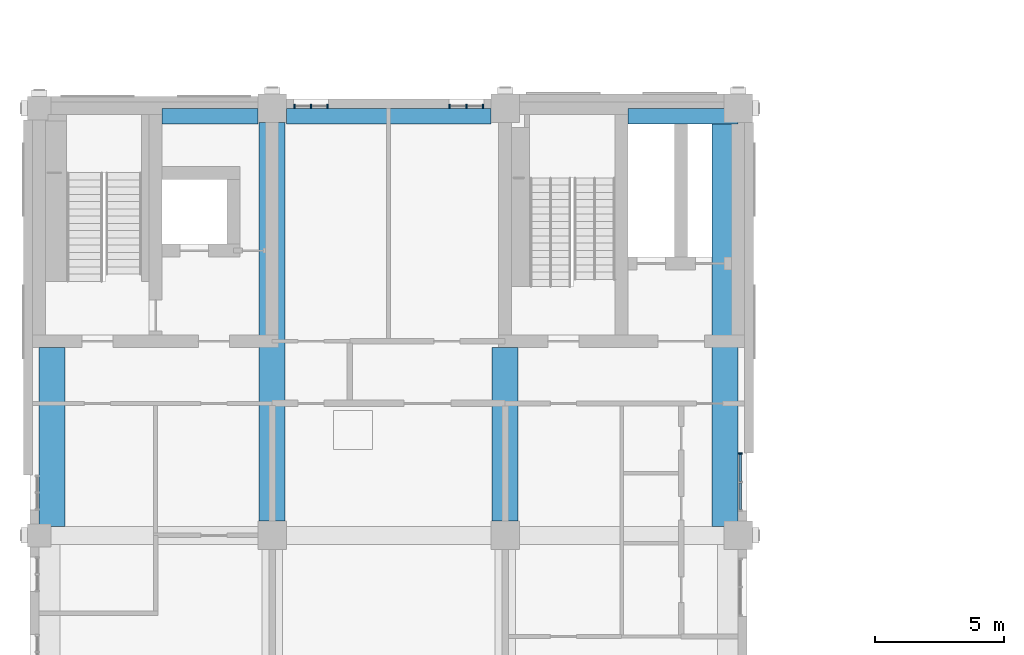
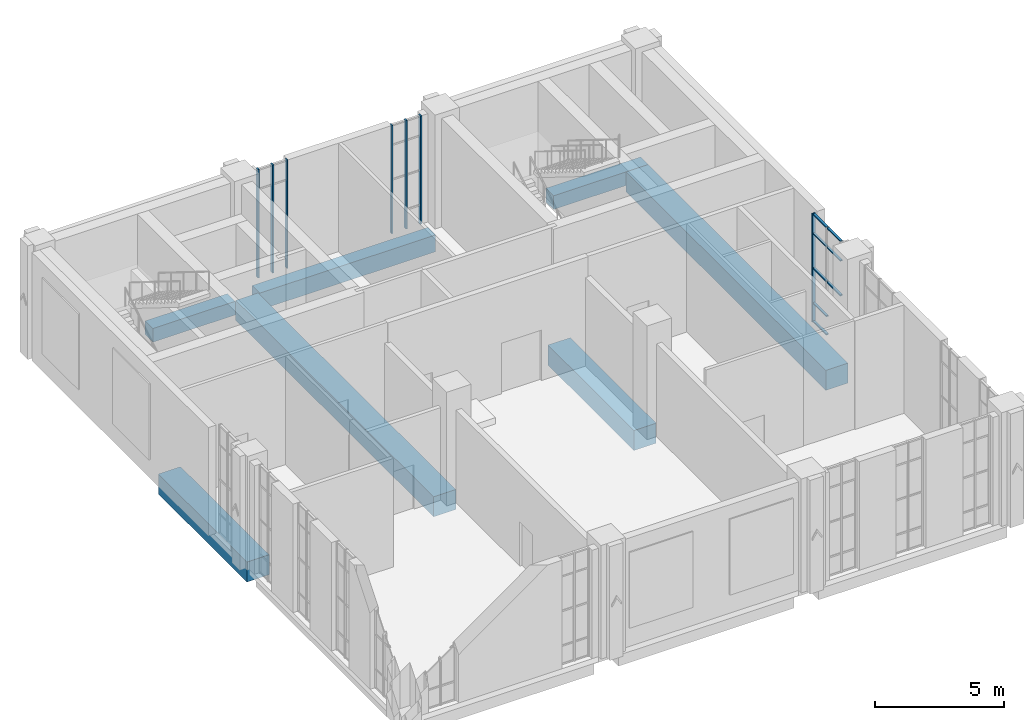
# One storey, part 3 of 39: 15 members, 7 beams, 3 elements without a shape of their own.
"""IFC4 building model written with IfcOpenShell, lengths in metres."""

from ifc_helpers import new_model, si_unit, direction, frame, origin, origin_2d, place, context, subcontext, project, spatial, rectangle, extrude, material, layer, layer_set, material_profile, profile_set, type_object, element, aggregate, save


model = new_model("IFC4")

# Units and contexts
model_context = context("Model", 3, precision=1e-05, world=origin(), true_north=direction((0.0, 1.0)))
body_context = subcontext(model_context, "Body", "Model", "MODEL_VIEW")
ifc_project = project(units=[si_unit("LENGTHUNIT", "METRE"), si_unit("AREAUNIT", "SQUARE_METRE"), si_unit("VOLUMEUNIT", "CUBIC_METRE"), si_unit("PLANEANGLEUNIT", "RADIAN"), si_unit("MASSUNIT", "GRAM", prefix="KILO")], contexts=[model_context])

# Site, building, storey
site_placement = place(None, origin())
site = spatial("IfcSite", under=ifc_project, at=site_placement, CompositionType="ELEMENT")
building_placement = place(site_placement, origin())
building = spatial("IfcBuilding", under=site, at=building_placement, Name="Aurelan Courthouse", CompositionType="ELEMENT")
storey_placement = place(building_placement, frame((0.0, 0.0, 28.199951171875)))
storey = spatial("IfcBuildingStorey", under=building, at=storey_placement, Name="L05", CompositionType="ELEMENT", Elevation=28.199951171875)

# Curtain wall, members
ifc_material_1 = material(Name="Bronze-finished aluminium and glass", Category="aluminium")
ifc_layer_1 = layer(ifc_material_1, 0.14990234375)
ifc_layer_set_1 = layer_set([ifc_layer_1], Name="Bronze-finished aluminium and glass")
curtain_wall_type_1 = type_object("IfcCurtainWallType", Name="Curtain wall 1350 x 5150", PredefinedType="NOTDEFINED", material=ifc_layer_set_1)
curtain_wall_1_placement = place(storey_placement, origin())
curtain_wall_1 = element("IfcCurtainWall", 1, at=curtain_wall_1_placement, inside=storey, type_object=curtain_wall_type_1, Name="Curtain wall CW-V5-L05-N01", PredefinedType="NOTDEFINED")
ifc_material_2 = material(Name="Bronze-finished aluminium", Category="aluminium")
ifc_material_profile_1 = material_profile(ifc_material_2, rectangle(XDim=0.14990234375, YDim=0.06005859375, at=origin_2d()), Name="Bronze mullion 60 x 150")
ifc_profile_set_1 = profile_set([ifc_material_profile_1], Name="Bronze-finished aluminium")
member_type_1 = type_object("IfcMemberType", Name="Curtain wall mullion 60 x 150", PredefinedType="MULLION", material=ifc_profile_set_1)
member_1_placement = place(storey_placement, frame((9.85498046875, 28.574951171875, 0.0), z_axis=(0.0, 0.0, 1.0), x_axis=(0.0, 1.0, 0.0)))
member_1 = element("IfcMember", 2, at=member_1_placement, type_object=member_type_1, Name="CW-V5-L05-N01 mullion 1", PredefinedType="MULLION", context=body_context, shape_type="SweptSolid", body=[
    extrude(rectangle(XDim=0.14990234375, YDim=0.06005859375, at=origin_2d()), origin(), (0.0, 0.0, 1.0), 5.150146484375),
])
member_2_placement = place(storey_placement, frame((10.5, 28.574951171875, 0.0), z_axis=(0.0, 0.0, 1.0), x_axis=(0.0, 1.0, 0.0)))
member_2 = element("IfcMember", 3, at=member_2_placement, type_object=member_type_1, Name="CW-V5-L05-N01 mullion 2", PredefinedType="MULLION", context=body_context, shape_type="SweptSolid", body=[
    extrude(rectangle(XDim=0.14990234375, YDim=0.06005859375, at=origin_2d()), origin(), (0.0, 0.0, 1.0), 5.150146484375),
])
member_3_placement = place(storey_placement, frame((11.14501953125, 28.574951171875, 0.0), z_axis=(0.0, 0.0, 1.0), x_axis=(0.0, 1.0, 0.0)))
member_3 = element("IfcMember", 4, at=member_3_placement, type_object=member_type_1, Name="CW-V5-L05-N01 mullion 3", PredefinedType="MULLION", context=body_context, shape_type="SweptSolid", body=[
    extrude(rectangle(XDim=0.14990234375, YDim=0.06005859375, at=origin_2d()), origin(), (0.0, 0.0, 1.0), 5.150146484375),
])
aggregate(curtain_wall_1, [member_1, member_2, member_3])

curtain_wall_2_placement = place(storey_placement, origin())
curtain_wall_2 = element("IfcCurtainWall", 5, at=curtain_wall_2_placement, inside=storey, type_object=curtain_wall_type_1, Name="Curtain wall CW-V5-L05-N02", PredefinedType="NOTDEFINED")
member_4_placement = place(storey_placement, frame((15.85498046875, 28.574951171875, 0.0), z_axis=(0.0, 0.0, 1.0), x_axis=(0.0, 1.0, 0.0)))
member_4 = element("IfcMember", 6, at=member_4_placement, type_object=member_type_1, Name="CW-V5-L05-N02 mullion 1", PredefinedType="MULLION", context=body_context, shape_type="SweptSolid", body=[
    extrude(rectangle(XDim=0.14990234375, YDim=0.06005859375, at=origin_2d()), origin(), (0.0, 0.0, 1.0), 5.150146484375),
])
member_5_placement = place(storey_placement, frame((16.5, 28.574951171875, 0.0), z_axis=(0.0, 0.0, 1.0), x_axis=(0.0, 1.0, 0.0)))
member_5 = element("IfcMember", 7, at=member_5_placement, type_object=member_type_1, Name="CW-V5-L05-N02 mullion 2", PredefinedType="MULLION", context=body_context, shape_type="SweptSolid", body=[
    extrude(rectangle(XDim=0.14990234375, YDim=0.06005859375, at=origin_2d()), origin(), (0.0, 0.0, 1.0), 5.150146484375),
])
member_6_placement = place(storey_placement, frame((17.14501953125, 28.574951171875, 0.0), z_axis=(0.0, 0.0, 1.0), x_axis=(0.0, 1.0, 0.0)))
member_6 = element("IfcMember", 8, at=member_6_placement, type_object=member_type_1, Name="CW-V5-L05-N02 mullion 3", PredefinedType="MULLION", context=body_context, shape_type="SweptSolid", body=[
    extrude(rectangle(XDim=0.14990234375, YDim=0.06005859375, at=origin_2d()), origin(), (0.0, 0.0, 1.0), 5.150146484375),
])
aggregate(curtain_wall_2, [member_4, member_5, member_6])

ifc_layer_2 = layer(ifc_material_1, 0.14990234375)
ifc_layer_set_2 = layer_set([ifc_layer_2], Name="Bronze-finished aluminium and glass")
curtain_wall_type_2 = type_object("IfcCurtainWallType", Name="Curtain wall 2250 x 5150", PredefinedType="NOTDEFINED", material=ifc_layer_set_2)
curtain_wall_3_placement = place(storey_placement, origin())
curtain_wall_3 = element("IfcCurtainWall", 9, at=curtain_wall_3_placement, inside=storey, type_object=curtain_wall_type_2, Name="Curtain wall CW-V5-L05-E04", PredefinedType="NOTDEFINED")
member_7_placement = place(storey_placement, frame((27.074951171875, 15.157470703125, 0.0), z_axis=(0.0, 0.0, 1.0), x_axis=(-1.0, 0.0, 0.0)))
member_7 = element("IfcMember", 10, at=member_7_placement, type_object=member_type_1, Name="CW-V5-L05-E04 mullion 3", PredefinedType="MULLION", context=body_context, shape_type="SweptSolid", body=[
    extrude(rectangle(XDim=0.14990234375, YDim=0.06005859375, at=origin_2d()), origin(), (0.0, 0.0, 1.0), 5.150146484375),
])
ifc_material_profile_2 = material_profile(ifc_material_2, rectangle(XDim=0.10009765625, YDim=0.06005859375, at=origin_2d()), Name="Bronze transom 60 x 100")
ifc_profile_set_2 = profile_set([ifc_material_profile_2], Name="Bronze-finished aluminium")
member_type_2 = type_object("IfcMemberType", Name="Curtain wall transom 60 x 100", PredefinedType="USERDEFINED", material=ifc_profile_set_2)
member_8_placement = place(storey_placement, frame((27.074951171875, 12.99755859375, 2.550048828125), z_axis=(0.0, 1.0, 0.0), x_axis=(-1.0, 0.0, 0.0)))
member_8 = element("IfcMember", 11, at=member_8_placement, type_object=member_type_2, Name="CW-V5-L05-E04 transom 1.3", ObjectType="TRANSOM", PredefinedType="USERDEFINED", context=body_context, shape_type="SweptSolid", body=[
    extrude(rectangle(XDim=0.10009765625, YDim=0.06005859375, at=origin_2d()), origin(), (0.0, 0.0, 1.0), 1.034912109375),
])
member_9_placement = place(storey_placement, frame((27.074951171875, 12.99755859375, 4.199951171875), z_axis=(0.0, 1.0, 0.0), x_axis=(-1.0, 0.0, 0.0)))
member_9 = element("IfcMember", 12, at=member_9_placement, type_object=member_type_2, Name="CW-V5-L05-E04 transom 1.4", ObjectType="TRANSOM", PredefinedType="USERDEFINED", context=body_context, shape_type="SweptSolid", body=[
    extrude(rectangle(XDim=0.10009765625, YDim=0.06005859375, at=origin_2d()), origin(), (0.0, 0.0, 1.0), 1.034912109375),
])
member_10_placement = place(storey_placement, frame((27.074951171875, 12.99755859375, 5.1201171875), z_axis=(0.0, 1.0, 0.0), x_axis=(-1.0, 0.0, 0.0)))
member_10 = element("IfcMember", 13, at=member_10_placement, type_object=member_type_2, Name="CW-V5-L05-E04 transom 1.5", ObjectType="TRANSOM", PredefinedType="USERDEFINED", context=body_context, shape_type="SweptSolid", body=[
    extrude(rectangle(XDim=0.10009765625, YDim=0.06005859375, at=origin_2d()), origin(), (0.0, 0.0, 1.0), 1.034912109375),
])
member_11_placement = place(storey_placement, frame((27.074951171875, 14.092529296875, 0.030029296875), z_axis=(0.0, 1.0, 0.0), x_axis=(-1.0, 0.0, 0.0)))
member_11 = element("IfcMember", 14, at=member_11_placement, type_object=member_type_2, Name="CW-V5-L05-E04 transom 2.1", ObjectType="TRANSOM", PredefinedType="USERDEFINED", context=body_context, shape_type="SweptSolid", body=[
    extrude(rectangle(XDim=0.10009765625, YDim=0.06005859375, at=origin_2d()), origin(), (0.0, 0.0, 1.0), 1.034912109375),
])
member_12_placement = place(storey_placement, frame((27.074951171875, 14.092529296875, 0.900146484375), z_axis=(0.0, 1.0, 0.0), x_axis=(-1.0, 0.0, 0.0)))
member_12 = element("IfcMember", 15, at=member_12_placement, type_object=member_type_2, Name="CW-V5-L05-E04 transom 2.2", ObjectType="TRANSOM", PredefinedType="USERDEFINED", context=body_context, shape_type="SweptSolid", body=[
    extrude(rectangle(XDim=0.10009765625, YDim=0.06005859375, at=origin_2d()), origin(), (0.0, 0.0, 1.0), 1.034912109375),
])
member_13_placement = place(storey_placement, frame((27.074951171875, 14.092529296875, 2.550048828125), z_axis=(0.0, 1.0, 0.0), x_axis=(-1.0, 0.0, 0.0)))
member_13 = element("IfcMember", 16, at=member_13_placement, type_object=member_type_2, Name="CW-V5-L05-E04 transom 2.3", ObjectType="TRANSOM", PredefinedType="USERDEFINED", context=body_context, shape_type="SweptSolid", body=[
    extrude(rectangle(XDim=0.10009765625, YDim=0.06005859375, at=origin_2d()), origin(), (0.0, 0.0, 1.0), 1.034912109375),
])
member_14_placement = place(storey_placement, frame((27.074951171875, 14.092529296875, 4.199951171875), z_axis=(0.0, 1.0, 0.0), x_axis=(-1.0, 0.0, 0.0)))
member_14 = element("IfcMember", 17, at=member_14_placement, type_object=member_type_2, Name="CW-V5-L05-E04 transom 2.4", ObjectType="TRANSOM", PredefinedType="USERDEFINED", context=body_context, shape_type="SweptSolid", body=[
    extrude(rectangle(XDim=0.10009765625, YDim=0.06005859375, at=origin_2d()), origin(), (0.0, 0.0, 1.0), 1.034912109375),
])
member_15_placement = place(storey_placement, frame((27.074951171875, 14.092529296875, 5.1201171875), z_axis=(0.0, 1.0, 0.0), x_axis=(-1.0, 0.0, 0.0)))
member_15 = element("IfcMember", 18, at=member_15_placement, type_object=member_type_2, Name="CW-V5-L05-E04 transom 2.5", ObjectType="TRANSOM", PredefinedType="USERDEFINED", context=body_context, shape_type="SweptSolid", body=[
    extrude(rectangle(XDim=0.10009765625, YDim=0.06005859375, at=origin_2d()), origin(), (0.0, 0.0, 1.0), 1.034912109375),
])
aggregate(curtain_wall_3, [member_7, member_8, member_9, member_10, member_11, member_12, member_13, member_14, member_15])

# Beams
ifc_material_3 = material(Name="Concrete C50", Category="concrete")
ifc_material_profile_3 = material_profile(ifc_material_3, rectangle(XDim=1.0, YDim=0.949951171875, at=origin_2d()), Name="RC 1000 x 950")
ifc_profile_set_3 = profile_set([ifc_material_profile_3], Name="Concrete C50")
beam_type_1 = type_object("IfcBeamType", Name="PT girder 1000 x 950", PredefinedType="BEAM", material=ifc_profile_set_3)
beam_1_placement = place(storey_placement, frame((0.5, 12.35009765625, -0.724853515625), z_axis=(0.0, 1.0, 0.0), x_axis=(-1.0, 0.0, 0.0)))
element("IfcBeam", 19, at=beam_1_placement, inside=storey, type_object=beam_type_1, Name="Girder GB-1BC-E", PredefinedType="BEAM", context=body_context, shape_type="SweptSolid", body=[
    extrude(rectangle(XDim=1.0, YDim=0.949951171875, at=origin_2d()), origin(), (0.0, 0.0, 1.0), 6.89990234375),
])
beam_2_placement = place(storey_placement, frame((9.0, 12.550048828125, -0.724853515625), z_axis=(0.0, 1.0, 0.0), x_axis=(-1.0, 0.0, 0.0)))
element("IfcBeam", 20, at=beam_2_placement, inside=storey, type_object=beam_type_1, Name="Girder GB-2BC", PredefinedType="BEAM", context=body_context, shape_type="SweptSolid", body=[
    extrude(rectangle(XDim=1.0, YDim=0.949951171875, at=origin_2d()), origin(), (0.0, 0.0, 1.0), 15.39990234375),
])
beam_3_placement = place(storey_placement, frame((18.0, 12.550048828125, -0.724853515625), z_axis=(0.0, 1.0, 0.0), x_axis=(-1.0, 0.0, 0.0)))
element("IfcBeam", 21, at=beam_3_placement, inside=storey, type_object=beam_type_1, Name="Girder GB-3BC", PredefinedType="BEAM", context=body_context, shape_type="SweptSolid", body=[
    extrude(rectangle(XDim=1.0, YDim=0.949951171875, at=origin_2d()), origin(), (0.0, 0.0, 1.0), 6.699951171875),
])
beam_4_placement = place(storey_placement, frame((26.5, 12.35009765625, -0.724853515625), z_axis=(0.0, 1.0, 0.0), x_axis=(-1.0, 0.0, 0.0)))
element("IfcBeam", 22, at=beam_4_placement, inside=storey, type_object=beam_type_1, Name="Girder GB-4BC-E", PredefinedType="BEAM", context=body_context, shape_type="SweptSolid", body=[
    extrude(rectangle(XDim=1.0, YDim=0.949951171875, at=origin_2d()), origin(), (0.0, 0.0, 1.0), 15.5498046875),
])
ifc_material_profile_4 = material_profile(ifc_material_3, rectangle(XDim=0.60009765625, YDim=0.64990234375, at=origin_2d()), Name="RC 600 x 650")
ifc_profile_set_4 = profile_set([ifc_material_profile_4], Name="Concrete C50")
beam_type_2 = type_object("IfcBeamType", Name="RC spandrel beam 600 x 650", PredefinedType="SPANDREL", material=ifc_profile_set_4)
beam_5_placement = place(storey_placement, frame((4.75, 28.199951171875, -0.574951171875), z_axis=(1.0, 0.0, 0.0), x_axis=(0.0, 1.0, 0.0)))
element("IfcBeam", 23, at=beam_5_placement, inside=storey, type_object=beam_type_2, Name="Spandrel beam SB-C-1-2", PredefinedType="SPANDREL", context=body_context, shape_type="SweptSolid", body=[
    extrude(rectangle(XDim=0.60009765625, YDim=0.64990234375, at=origin_2d()), origin(), (0.0, 0.0, 1.0), 3.699951171875),
])
beam_6_placement = place(storey_placement, frame((22.75, 28.199951171875, -0.574951171875), z_axis=(1.0, 0.0, 0.0), x_axis=(0.0, 1.0, 0.0)))
element("IfcBeam", 24, at=beam_6_placement, inside=storey, type_object=beam_type_2, Name="Spandrel beam SB-C-3-4", PredefinedType="SPANDREL", context=body_context, shape_type="SweptSolid", body=[
    extrude(rectangle(XDim=0.60009765625, YDim=0.64990234375, at=origin_2d()), origin(), (0.0, 0.0, 1.0), 4.25),
])
ifc_material_profile_5 = material_profile(ifc_material_3, rectangle(XDim=0.60009765625, YDim=0.800048828125, at=origin_2d()), Name="RC 600 x 800")
ifc_profile_set_5 = profile_set([ifc_material_profile_5], Name="Concrete C50")
beam_type_3 = type_object("IfcBeamType", Name="RC spandrel beam 600 x 800", PredefinedType="SPANDREL", material=ifc_profile_set_5)
beam_7_placement = place(storey_placement, frame((9.550048828125, 28.199951171875, -0.64990234375), z_axis=(1.0, 0.0, 0.0), x_axis=(0.0, 1.0, 0.0)))
element("IfcBeam", 25, at=beam_7_placement, inside=storey, type_object=beam_type_3, Name="Spandrel beam SB-C-2-3", PredefinedType="SPANDREL", context=body_context, shape_type="SweptSolid", body=[
    extrude(rectangle(XDim=0.60009765625, YDim=0.800048828125, at=origin_2d()), origin(), (0.0, 0.0, 1.0), 7.89990234375),
])

save(model, "model.ifc")
